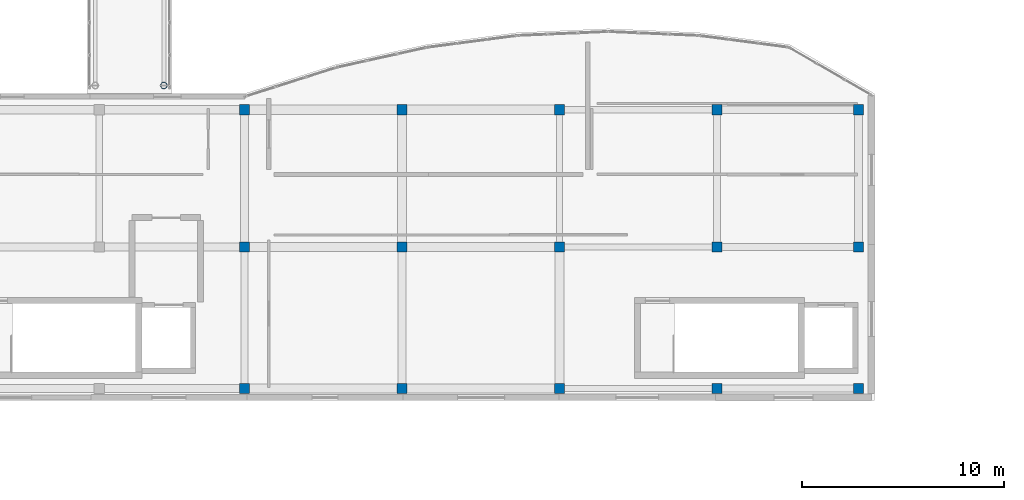
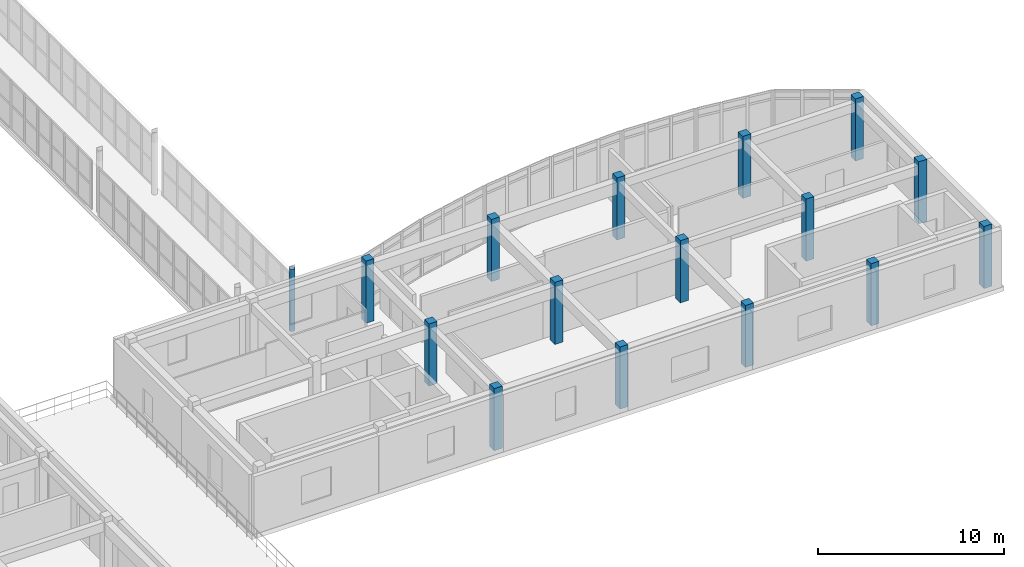
# One storey, part 4 of 52: 16 columns.
"""IFC4 building model written with IfcOpenShell, lengths in metres."""

from ifc_helpers import new_model, si_unit, direction, frame, origin, origin_2d, place, context, subcontext, project, spatial, rectangle, hollow_circle, extrude, material, material_profile, profile_set, type_object, element, save


model = new_model("IFC4")

# Units and contexts
model_context = context("Model", 3, precision=1e-05, world=origin(), true_north=direction((0.0, 1.0)))
body_context = subcontext(model_context, "Body", "Model", "MODEL_VIEW")
ifc_project = project(units=[si_unit("LENGTHUNIT", "METRE"), si_unit("AREAUNIT", "SQUARE_METRE"), si_unit("VOLUMEUNIT", "CUBIC_METRE"), si_unit("PLANEANGLEUNIT", "RADIAN"), si_unit("MASSUNIT", "GRAM", prefix="KILO")], contexts=[model_context])

# Site, building, storey
site_placement = place(None, origin())
site = spatial("IfcSite", under=ifc_project, at=site_placement, CompositionType="ELEMENT")
building_placement = place(site_placement, origin())
building = spatial("IfcBuilding", under=site, at=building_placement, Name="Valcora Specialist Clinic", CompositionType="ELEMENT")
storey_placement = place(building_placement, frame((0.0, 0.0, 17.679931640625)))
storey = spatial("IfcBuildingStorey", under=building, at=storey_placement, Name="L04", CompositionType="ELEMENT", Elevation=17.679931640625)

# Columns
ifc_material_1 = material(Name="Steel ASTM A500 Grade C", Category="steel")
ifc_material_profile_1 = material_profile(ifc_material_1, hollow_circle(Radius=0.162109375, WallThickness=0.011962890625, at=origin_2d()), Name="ST-CHS-324X12")
ifc_profile_set_1 = profile_set([ifc_material_profile_1], Name="Steel ASTM A500 Grade C")
column_type_1 = type_object("IfcColumnType", Name="TY-COL-CHS324", PredefinedType="COLUMN", material=ifc_profile_set_1)
column_placement = place(storey_placement, frame((65.0, 23.199951171875, 0.0), z_axis=(0.0, 0.0, 1.0), x_axis=(1.0, 0.0, 0.0)))
element("IfcColumn", 1, at=column_placement, inside=storey, type_object=column_type_1, Name="Column COL-L04-0988", PredefinedType="COLUMN", context=body_context, shape_type="SweptSolid", body=[
    extrude(hollow_circle(Radius=0.162109375, WallThickness=0.011962890625, at=origin_2d()), origin(), (0.0, 0.0, 1.0), 4.080078125),
])
ifc_material_2 = material(Name="Concrete C40/50", Category="concrete")
ifc_material_profile_2 = material_profile(ifc_material_2, rectangle(XDim=0.5, YDim=0.5, at=origin_2d()), Name="RC-COL-500X500")
ifc_profile_set_2 = profile_set([ifc_material_profile_2], Name="Concrete C40/50")
column_type_2 = type_object("IfcColumnType", Name="TY-COL-RC500", PredefinedType="COLUMN", material=ifc_profile_set_2)
for number, where, z_axis, x_axis, name in (
    (2, (69.0, 8.199951171875, 0.0), (0.0, 0.0, 1.0), (1.0, 0.0, 0.0), "Column COL-L04-0794"),
    (3, (69.0, 15.199951171875, 0.0), (0.0, 0.0, 1.0), (1.0, 0.0, 0.0), "Column COL-L04-0800"),
    (4, (69.0, 22.0, 0.0), (0.0, 0.0, 1.0), (1.0, 0.0, 0.0), "Column COL-L04-0806"),
    (5, (76.800048828125, 8.199951171875, 0.0), (0.0, 0.0, 1.0), (1.0, 0.0, 0.0), "Column COL-L04-0817"),
    (6, (76.800048828125, 15.199951171875, 0.0), (0.0, 0.0, 1.0), (1.0, 0.0, 0.0), "Column COL-L04-0823"),
    (7, (76.800048828125, 22.0, 0.0), (0.0, 0.0, 1.0), (1.0, 0.0, 0.0), "Column COL-L04-0829"),
    (8, (84.60009765625, 8.199951171875, 0.0), (0.0, 0.0, 1.0), (1.0, 0.0, 0.0), "Column COL-L04-0840"),
    (9, (84.60009765625, 15.199951171875, 0.0), (0.0, 0.0, 1.0), (1.0, 0.0, 0.0), "Column COL-L04-0846"),
    (10, (84.60009765625, 22.0, 0.0), (0.0, 0.0, 1.0), (1.0, 0.0, 0.0), "Column COL-L04-0852"),
    (11, (92.39990234375, 8.199951171875, 0.0), (0.0, 0.0, 1.0), (1.0, 0.0, 0.0), "Column COL-L04-0863"),
    (12, (92.39990234375, 15.199951171875, 0.0), (0.0, 0.0, 1.0), (1.0, 0.0, 0.0), "Column COL-L04-0869"),
    (13, (92.39990234375, 22.0, 0.0), (0.0, 0.0, 1.0), (1.0, 0.0, 0.0), "Column COL-L04-0875"),
    (14, (99.39990234375, 8.199951171875, 0.0), (0.0, 0.0, 1.0), (1.0, 0.0, 0.0), "Column COL-L04-0886"),
    (15, (99.39990234375, 15.199951171875, 0.0), (0.0, 0.0, 1.0), (1.0, 0.0, 0.0), "Column COL-L04-0892"),
    (16, (99.39990234375, 22.0, 0.0), (0.0, 0.0, 1.0), (1.0, 0.0, 0.0), "Column COL-L04-0898"),
):
    element("IfcColumn", number, at=place(storey_placement, frame(where, z_axis=z_axis, x_axis=x_axis)), inside=storey, type_object=column_type_2, Name=name, PredefinedType="COLUMN", context=body_context, shape_type="SweptSolid", body=[
        extrude(rectangle(XDim=0.5, YDim=0.5, at=origin_2d()), origin(), (0.0, 0.0, 1.0), 4.080078125),
    ])

save(model, "model.ifc")
